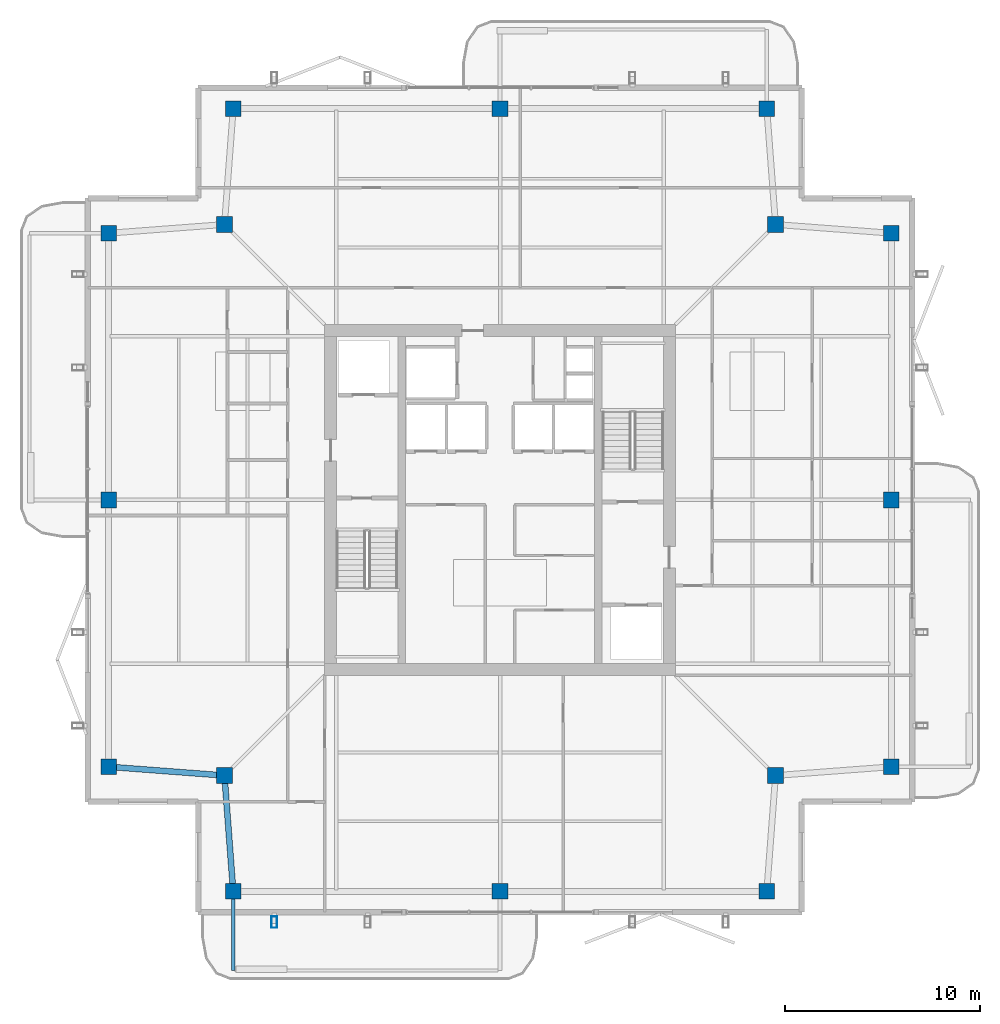
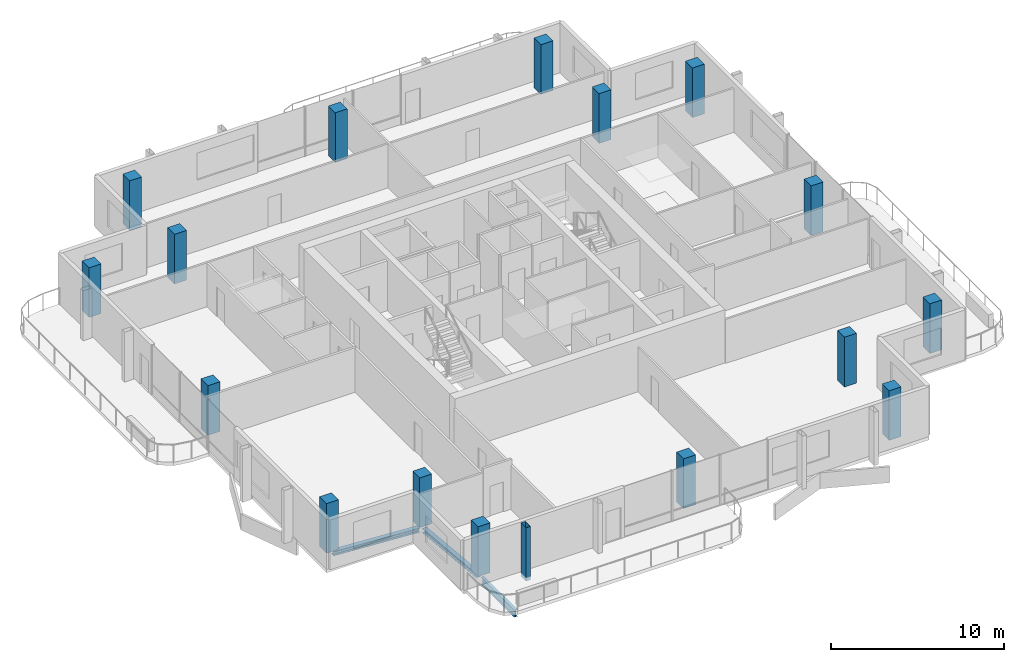
# One storey, part 1 of 22: 16 columns, 3 beams, 1 member.
"""IFC4 building model written with IfcOpenShell, lengths in metres."""

from ifc_helpers import new_model, si_unit, direction, frame, origin, origin_2d, place, context, subcontext, project, spatial, rectangle, hollow_rectangle, i_section, extrude, material, material_profile, profile_set, type_object, element, save


model = new_model("IFC4")

# Units and contexts
model_context = context("Model", 3, precision=1e-05, world=origin(), true_north=direction((0.0, 1.0)))
body_context = subcontext(model_context, "Body", "Model", "MODEL_VIEW")
ifc_project = project(units=[si_unit("LENGTHUNIT", "METRE"), si_unit("AREAUNIT", "SQUARE_METRE"), si_unit("VOLUMEUNIT", "CUBIC_METRE"), si_unit("PLANEANGLEUNIT", "RADIAN"), si_unit("MASSUNIT", "GRAM", prefix="KILO")], contexts=[model_context])

# Site, building, storey
site_placement = place(None, origin())
site = spatial("IfcSite", under=ifc_project, at=site_placement, CompositionType="ELEMENT")
building_placement = place(site_placement, origin())
building = spatial("IfcBuilding", under=site, at=building_placement, Name="Belovzor Exchange Tower", CompositionType="ELEMENT")
storey_placement = place(building_placement, frame((0.0, 0.0, 348.0)))
storey = spatial("IfcBuildingStorey", under=building, at=storey_placement, Name="L87", CompositionType="ELEMENT", Elevation=348.0)

# Columns
ifc_material_1 = material(Name="Concrete C50/60", Category="concrete")
ifc_material_profile_1 = material_profile(ifc_material_1, rectangle(XDim=0.800048828125, YDim=0.800048828125, at=origin_2d()))
ifc_profile_set_1 = profile_set([ifc_material_profile_1], Name="Concrete C50/60")
column_type = type_object("IfcColumnType", Name="Reinforced Concrete Tower Column 800x800", PredefinedType="COLUMN", material=ifc_profile_set_1)
for number, where, z_axis, x_axis, name in (
    (1, (15.10009765625, 8.699951171875, 0.0029296875), (0.0, 0.0, 1.0), (1.0, 0.0, 0.0), "COL-T080 Reinforced Concrete Tower Column 800x800"),
    (2, (28.800048828125, 8.699951171875, 0.0029296875), (0.0, 0.0, 1.0), (1.0, 0.0, 0.0), "COL-T080 Reinforced Concrete Tower Column 800x800"),
    (3, (42.5, 8.699951171875, 0.0029296875), (0.0, 0.0, 1.0), (1.0, 0.0, 0.0), "COL-T080 Reinforced Concrete Tower Column 800x800"),
    (4, (48.89990234375, 15.10009765625, 0.0029296875), (0.0, 0.0, 1.0), (1.0, 0.0, 0.0), "COL-T080 Reinforced Concrete Tower Column 800x800"),
    (5, (48.89990234375, 28.800048828125, 0.0029296875), (0.0, 0.0, 1.0), (1.0, 0.0, 0.0), "COL-T080 Reinforced Concrete Tower Column 800x800"),
    (6, (48.89990234375, 42.5, 0.0029296875), (0.0, 0.0, 1.0), (1.0, 0.0, 0.0), "COL-T080 Reinforced Concrete Tower Column 800x800"),
    (7, (42.5, 48.89990234375, 0.0029296875), (0.0, 0.0, 1.0), (1.0, 0.0, 0.0), "COL-T080 Reinforced Concrete Tower Column 800x800"),
    (8, (28.800048828125, 48.89990234375, 0.0029296875), (0.0, 0.0, 1.0), (1.0, 0.0, 0.0), "COL-T080 Reinforced Concrete Tower Column 800x800"),
    (9, (15.10009765625, 48.89990234375, 0.0029296875), (0.0, 0.0, 1.0), (1.0, 0.0, 0.0), "COL-T080 Reinforced Concrete Tower Column 800x800"),
    (10, (8.699951171875, 42.5, 0.0029296875), (0.0, 0.0, 1.0), (1.0, 0.0, 0.0), "COL-T080 Reinforced Concrete Tower Column 800x800"),
    (11, (8.699951171875, 28.800048828125, 0.0029296875), (0.0, 0.0, 1.0), (1.0, 0.0, 0.0), "COL-T080 Reinforced Concrete Tower Column 800x800"),
    (12, (8.699951171875, 15.10009765625, 0.0029296875), (0.0, 0.0, 1.0), (1.0, 0.0, 0.0), "COL-T080 Reinforced Concrete Tower Column 800x800"),
    (13, (14.64990234375, 14.64990234375, 0.0029296875), (0.0, 0.0, 1.0), (1.0, 0.0, 0.0), "COL-T080 Reinforced Concrete Tower Column 800x800"),
    (14, (42.949951171875, 14.64990234375, 0.0029296875), (0.0, 0.0, 1.0), (1.0, 0.0, 0.0), "COL-T080 Reinforced Concrete Tower Column 800x800"),
    (15, (42.949951171875, 42.949951171875, 0.0029296875), (0.0, 0.0, 1.0), (1.0, 0.0, 0.0), "COL-T080 Reinforced Concrete Tower Column 800x800"),
    (16, (14.64990234375, 42.949951171875, 0.0029296875), (0.0, 0.0, 1.0), (1.0, 0.0, 0.0), "COL-T080 Reinforced Concrete Tower Column 800x800"),
):
    element("IfcColumn", number, at=place(storey_placement, frame(where, z_axis=z_axis, x_axis=x_axis)), inside=storey, type_object=column_type, Name=name, PredefinedType="COLUMN", context=body_context, shape_type="SweptSolid", body=[
        extrude(rectangle(XDim=0.800048828125, YDim=0.800048828125, at=origin_2d()), origin(), (0.0, 0.0, 1.0), 3.504150390625),
    ])

# Beam
ifc_material_2 = material(Name="Steel S355", Category="steel")
ifc_material_profile_2 = material_profile(ifc_material_2, i_section(OverallWidth=0.199951171875, OverallDepth=0.5, WebThickness=0.01025390625, FlangeThickness=0.01611328125, at=origin_2d()))
ifc_profile_set_2 = profile_set([ifc_material_profile_2], Name="Steel S355")
beam_type_1 = type_object("IfcBeamType", Name="Planted Balcony Cantilever Beam IPE 500", PredefinedType="BEAM", material=ifc_profile_set_2)
beam_placement = place(storey_placement, frame((15.10009765625, 8.47998046875, -0.489990234375), z_axis=(0.0, -1.0, 0.0), x_axis=(1.0, 0.0, 0.0)))
element("IfcBeam", 17, at=beam_placement, inside=storey, type_object=beam_type_1, Name="BC-500 Planted Balcony Cantilever Beam IPE 500", PredefinedType="BEAM", context=body_context, shape_type="SweptSolid", body=[
    extrude(i_section(OverallWidth=0.199951171875, OverallDepth=0.5, WebThickness=0.01025390625, FlangeThickness=0.01611328125, at=origin_2d()), origin(), (0.0, 0.0, 1.0), 3.85009765625),
])

# Member
ifc_material_3 = material(Name="Extruded Architectural Terracotta on Steel S355 Carrier", Category="masonry")
ifc_material_profile_3 = material_profile(ifc_material_3, hollow_rectangle(XDim=0.300048828125, YDim=0.60009765625, WallThickness=0.01611328125, at=origin_2d()))
ifc_profile_set_3 = profile_set([ifc_material_profile_3], Name="Extruded Architectural Terracotta on Steel S355 Carrier")
member_type = type_object("IfcMemberType", Name="Upper Crown Terracotta Fin Assembly 550", PredefinedType="USERDEFINED", material=ifc_profile_set_3)
member_placement = place(storey_placement, frame((17.199951171875, 7.125, -0.239990234375), z_axis=(0.0, 0.0, 1.0), x_axis=(1.0, 0.0, 0.0)))
element("IfcMember", 18, at=member_placement, inside=storey, type_object=member_type, Name="FIN-TC055 Terracotta Facade Fin L87 S1", ObjectType="FIN", PredefinedType="USERDEFINED", context=body_context, shape_type="SweptSolid", body=[
    extrude(hollow_rectangle(XDim=0.300048828125, YDim=0.60009765625, WallThickness=0.01611328125, at=origin_2d()), origin(), (0.0, 0.0, 1.0), 3.75),
])

# Beams
ifc_material_4 = material(Name="Steel S355", Category="steel")
ifc_material_profile_4 = material_profile(ifc_material_4, i_section(OverallWidth=0.300048828125, OverallDepth=0.300048828125, WebThickness=0.008544921875, FlangeThickness=0.013916015625, at=origin_2d()))
ifc_profile_set_4 = profile_set([ifc_material_profile_4], Name="Steel S355")
beam_type_2 = type_object("IfcBeamType", Name="Zone 6 Primary Girder HEA 300", PredefinedType="BEAM", material=ifc_profile_set_4)
for number, where, z_axis, x_axis, name in (
    (19, (14.6669921875, 14.430908203125, -0.389892578125), (0.075260983968, -0.99716387033, 0.0), (0.99716387033, 0.075260983968, 0.0), "FG-Z6 Zone 6 Primary Girder HEA 300"),
    (20, (8.9189453125, 15.0830078125, -0.389892578125), (0.99716387033, -0.075260983968, 0.0), (0.075260983968, 0.99716387033, 0.0), "FG-Z6 Zone 6 Primary Girder HEA 300"),
):
    element("IfcBeam", number, at=place(storey_placement, frame(where, z_axis=z_axis, x_axis=x_axis)), inside=storey, type_object=beam_type_2, Name=name, PredefinedType="BEAM", context=body_context, shape_type="SweptSolid", body=[
        extrude(i_section(OverallWidth=0.300048828125, OverallDepth=0.300048828125, WebThickness=0.008544921875, FlangeThickness=0.013916015625, at=origin_2d()), origin(), (0.0, 0.0, 1.0), 5.527587890625),
    ])

save(model, "model.ifc")
